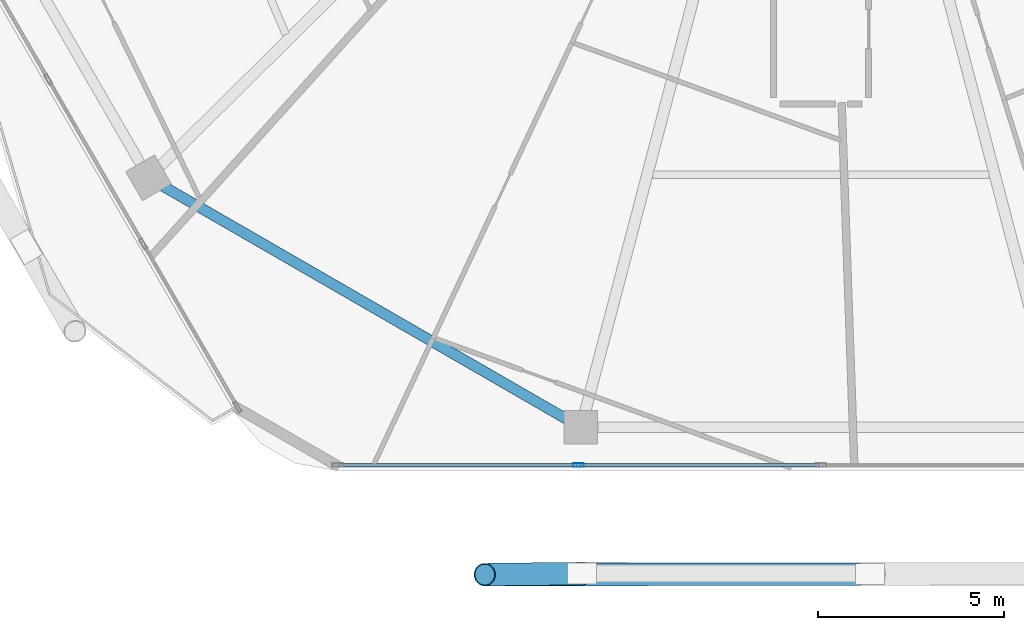
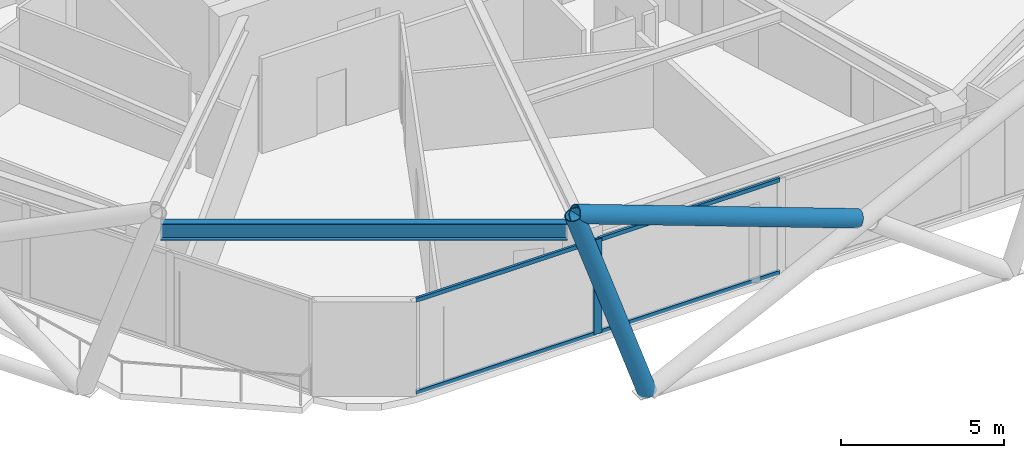
# One storey, part 3 of 27: 7 members, 1 beam, 1 element without a shape of its own.
"""IFC4 building model written with IfcOpenShell, lengths in metres."""

import ifcopenshell
import ifcopenshell.guid

model = None  # the IFC model being written
_history = None  # IfcOwnerHistory: only IFC2X3 demands one
_inside = {}  # id of a spatial element -> (the spatial element, [elements in it])
_under = {}  # id of a project, library or spatial element -> (it, [spatial elements below it])
_declared = {}  # id of a project -> (the project, [libraries it declares])
_typed = {}  # id of a type object -> (the type object, [elements of that type])
_made_of = {}  # id of a material, layer set ... -> (it, [elements and type objects made of it])


def new_model(schema):
    """Start an empty IFC model of exactly this schema.

    Asked for "IFC4X3", IfcOpenShell would pick the latest addendum, in which some entities
    have other attributes; the version numbers below select the first issue.
    IFC2X3 requires an IfcOwnerHistory on every rooted entity: one is made here for all.
    """
    global model, _history
    if schema == "IFC4X3":
        model = ifcopenshell.file(schema_version=(4, 3, 0, 0))
    else:
        model = ifcopenshell.file(schema=schema)
    _inside.clear()
    _under.clear()
    _declared.clear()
    _typed.clear()
    _made_of.clear()
    _history = None
    if model.schema == "IFC2X3":
        org = make("IfcOrganization", Name="unknown")
        user = make(
            "IfcPersonAndOrganization",
            ThePerson=make("IfcPerson", FamilyName="unknown"),
            TheOrganization=org,
        )
        app = make(
            "IfcApplication",
            ApplicationDeveloper=org,
            Version="unknown",
            ApplicationFullName="unknown",
            ApplicationIdentifier="unknown",
        )
        _history = make(
            "IfcOwnerHistory",
            OwningUser=user,
            OwningApplication=app,
            ChangeAction="ADDED",
            CreationDate=0,
        )
    return model


def make(cls, **values):
    """One entity of the class cls with the attributes given. An attribute that is None is left unset."""
    return model.create_entity(
        cls, **{name: value for name, value in values.items() if value is not None}
    )


def rooted(cls, **values):
    """An entity with a GlobalId (a new one), such as an element, a storey or a relation."""
    return make(cls, GlobalId=ifcopenshell.guid.new(), OwnerHistory=_history, **values)


def si_unit(unit_type, name, prefix=None):
    """IfcSIUnit, for example si_unit("LENGTHUNIT", "METRE", prefix="MILLI")."""
    return make("IfcSIUnit", UnitType=unit_type, Prefix=prefix, Name=name)


def assignment(units):
    """IfcUnitAssignment: the units of a project."""
    return None if units is None else make("IfcUnitAssignment", Units=units)


def point(xyz):
    """IfcCartesianPoint."""
    return None if xyz is None else make("IfcCartesianPoint", Coordinates=xyz)


def direction(xyz):
    """IfcDirection."""
    return None if xyz is None else make("IfcDirection", DirectionRatios=xyz)


def frame(location, z_axis=None, x_axis=None):
    """IfcAxis2Placement3D, a coordinate frame: its origin and axes. An axis left out is left unset."""
    return make(
        "IfcAxis2Placement3D",
        Location=point(location),
        Axis=direction(z_axis),
        RefDirection=direction(x_axis),
    )


def frame_2d(location, x_axis=None):
    """IfcAxis2Placement2D, a coordinate frame in the plane: its origin and x axis."""
    return make(
        "IfcAxis2Placement2D", Location=point(location), RefDirection=direction(x_axis)
    )


def origin():
    """The frame at (0, 0, 0) with its axes left unset."""
    return frame((0.0, 0.0, 0.0))


def origin_2d():
    """The frame at (0, 0) in the plane with its x axis left unset."""
    return frame_2d((0.0, 0.0))


def place(relative_to, where):
    """IfcLocalPlacement: puts the frame where relative to a parent placement (None: the world)."""
    return make(
        "IfcLocalPlacement", PlacementRelTo=relative_to, RelativePlacement=where
    )


def context(
    kind, dimensions, precision=None, world=None, true_north=None, identifier=None
):
    """IfcGeometricRepresentationContext, for example the 3D "Model" context."""
    return make(
        "IfcGeometricRepresentationContext",
        ContextIdentifier=identifier,
        ContextType=kind,
        CoordinateSpaceDimension=dimensions,
        Precision=precision,
        WorldCoordinateSystem=world,
        TrueNorth=true_north,
    )


def subcontext(parent, identifier, kind, view, scale=None):
    """IfcGeometricRepresentationSubContext, for example "Body" below "Model"."""
    return make(
        "IfcGeometricRepresentationSubContext",
        ContextIdentifier=identifier,
        ContextType=kind,
        ParentContext=parent,
        TargetScale=scale,
        TargetView=view,
    )


def project(units=None, contexts=None):
    """IfcProject with its units and contexts."""
    return rooted(
        "IfcProject",
        Name="project",
        RepresentationContexts=contexts,
        UnitsInContext=assignment(units),
    )


def spatial(cls, under=None, at=None, **own):
    """A site, building, storey or space (cls), placed at a placement, below another one or the project."""
    s = rooted(cls, ObjectPlacement=at, **own)
    if under is not None:
        _under.setdefault(under.id(), (under, []))[1].append(s)
    return s


def profile(cls, at=None, kind="AREA", **sizes):
    """A parametric profile (cls). Its sizes go by their IFC names, for example OverallWidth=200.0."""
    return make(cls, ProfileType=kind, Position=at, **sizes)


def hollow_rectangle(**sizes):
    """IfcRectangleHollowProfileDef."""
    return profile("IfcRectangleHollowProfileDef", **sizes)


def hollow_circle(**sizes):
    """IfcCircleHollowProfileDef."""
    return profile("IfcCircleHollowProfileDef", **sizes)


def i_section(**sizes):
    """IfcIShapeProfileDef."""
    return profile("IfcIShapeProfileDef", **sizes)


def extrude(swept, where, along, depth):
    """IfcExtrudedAreaSolid: the profile swept, set in the frame where, extruded along a direction by depth."""
    return make(
        "IfcExtrudedAreaSolid",
        SweptArea=swept,
        Position=where,
        ExtrudedDirection=direction(along),
        Depth=depth,
    )


def shape(context_of_items, identifier, shape_type, items):
    """IfcShapeRepresentation: the items that make up one representation, for example the "Body"."""
    return make(
        "IfcShapeRepresentation",
        ContextOfItems=context_of_items,
        RepresentationIdentifier=identifier,
        RepresentationType=shape_type,
        Items=items,
    )


def material(Name=None, Category=None):
    """IfcMaterial."""
    return make("IfcMaterial", Name=Name, Category=Category)


def material_profile(
    of_material, cross_section, Name=None, Category=None, Priority=None
):
    """IfcMaterialProfile: a cross section and its material."""
    return make(
        "IfcMaterialProfile",
        Name=Name,
        Material=of_material,
        Profile=cross_section,
        Priority=Priority,
        Category=Category,
    )


def profile_set(profiles, Name=None, composite=None):
    """IfcMaterialProfileSet."""
    return make(
        "IfcMaterialProfileSet",
        Name=Name,
        MaterialProfiles=profiles,
        CompositeProfile=composite,
    )


def made_of(thing, what):
    """Note that an element or type object is made of a material, layer set ...; save() writes the relation."""
    if what is not None:
        _made_of.setdefault(what.id(), (what, []))[1].append(thing)
    return thing


def type_object(cls, material=None, **own):
    """A type object (cls), such as IfcWallType, which elements share."""
    return made_of(rooted(cls, **own), material)


def element(
    cls,
    number,
    at=None,
    inside=None,
    cuts=None,
    type_object=None,
    material=None,
    context=None,
    identifier="Body",
    shape_type=None,
    held_by="IfcProductDefinitionShape",
    body=None,
    shapes=None,
    **own,
):
    """One element of the class cls, such as IfcWall. Its Tag is "e" and its number.

    at: its placement. inside: the storey or other place that contains it. cuts: it is an
    opening in that element (IfcRelVoidsElement). A single representation is given by context,
    identifier, shape_type and body (its items); several are given by shapes. held_by: the class
    of the entity that holds the representations. save() writes the other relations.
    """
    e = rooted(cls, Tag="e%d" % number, ObjectPlacement=at, **own)
    if body is not None:
        shapes = [shape(context, identifier, shape_type, body)]
    if shapes is not None:
        e.Representation = make(held_by, Representations=shapes)
    if inside is not None:
        _inside.setdefault(inside.id(), (inside, []))[1].append(e)
    if cuts is not None:
        rooted(
            "IfcRelVoidsElement", RelatingBuildingElement=cuts, RelatedOpeningElement=e
        )
    if type_object is not None:
        _typed.setdefault(type_object.id(), (type_object, []))[1].append(e)
    return made_of(e, material)


def aggregate(whole, parts):
    """IfcRelAggregates: a whole, such as a stair, and the parts it consists of."""
    return rooted("IfcRelAggregates", RelatingObject=whole, RelatedObjects=parts)


def save(model, path):
    """Write the relations noted so far, then the file.

    IfcRelAggregates (storeys below a building ...), IfcRelContainedInSpatialStructure (elements
    in a storey), IfcRelDefinesByType, IfcRelAssociatesMaterial and IfcRelDeclares: one each for
    every whole, place, type object, material and project.
    """
    for whole, parts in _under.values():
        aggregate(whole, parts)
    for where, things in _inside.values():
        rooted(
            "IfcRelContainedInSpatialStructure",
            RelatedElements=things,
            RelatingStructure=where,
        )
    for kind, things in _typed.values():
        rooted("IfcRelDefinesByType", RelatedObjects=things, RelatingType=kind)
    for what, things in _made_of.values():
        rooted("IfcRelAssociatesMaterial", RelatedObjects=things, RelatingMaterial=what)
    for by, libraries in _declared.values():
        rooted("IfcRelDeclares", RelatingContext=by, RelatedDefinitions=libraries)
    model.write(path)


model = new_model("IFC4")

# Units and contexts
model_context = context("Model", 3, precision=1e-05, world=origin(), true_north=direction((0.0, 1.0)))
body_context = subcontext(model_context, "Body", "Model", "MODEL_VIEW")
ifc_project = project(units=[si_unit("LENGTHUNIT", "METRE"), si_unit("AREAUNIT", "SQUARE_METRE"), si_unit("VOLUMEUNIT", "CUBIC_METRE"), si_unit("PLANEANGLEUNIT", "RADIAN"), si_unit("MASSUNIT", "GRAM", prefix="KILO")], contexts=[model_context])

# Site, building, storey
site_placement = place(None, origin())
site = spatial("IfcSite", under=ifc_project, at=site_placement, CompositionType="ELEMENT")
building_placement = place(site_placement, origin())
building = spatial("IfcBuilding", under=site, at=building_placement, Name="Zuhravey Tower", CompositionType="ELEMENT")
storey_placement = place(building_placement, frame((0.0, 0.0, 238.800048828125)))
storey = spatial("IfcBuildingStorey", under=building, at=storey_placement, Name="L60", CompositionType="ELEMENT", Elevation=238.800048828125)

# Curtain wall, members
ifc_material_1 = material(Name="Thermally broken anodised aluminium", Category="aluminium")
curtain_wall_type = type_object("IfcCurtainWallType", Name="Zone 3-4 High-Rise Curtain Wall CW4", PredefinedType="NOTDEFINED", material=ifc_material_1)
curtain_wall_placement = place(storey_placement, origin())
curtain_wall = element("IfcCurtainWall", 1, at=curtain_wall_placement, inside=storey, type_object=curtain_wall_type, Name="L60 CW4 CW-L60-F5-1", PredefinedType="NOTDEFINED")
ifc_material_2 = material(Name="Anodised aluminium", Category="aluminium")
ifc_material_profile_1 = material_profile(ifc_material_2, hollow_rectangle(XDim=0.090087890625, YDim=0.284912109375, WallThickness=0.0048828125, at=origin_2d()), Name="ALU-RHS-90x285x5")
ifc_profile_set_1 = profile_set([ifc_material_profile_1], Name="Anodised aluminium")
member_type_1 = type_object("IfcMemberType", Name="Curtain-Wall Mullion 90x180", PredefinedType="MULLION", material=ifc_profile_set_1)
member_1_placement = place(storey_placement, frame((29.49365234375, 6.436279296875, 0.0), z_axis=(0.0, 0.0, 1.0), x_axis=(0.0, -1.0, 0.0)))
member_1 = element("IfcMember", 2, at=member_1_placement, type_object=member_type_1, Name="CW4 mullion 4", PredefinedType="MULLION", context=body_context, shape_type="SweptSolid", body=[
    extrude(hollow_rectangle(XDim=0.090087890625, YDim=0.284912109375, WallThickness=0.0048828125, at=origin_2d()), origin(), (0.0, 0.0, 1.0), 3.550048828125),
])
ifc_material_profile_2 = material_profile(ifc_material_2, hollow_rectangle(XDim=0.090087890625, YDim=0.14990234375, WallThickness=0.0048828125, at=origin_2d()), Name="ALU-RHS-90x150x5")
ifc_profile_set_2 = profile_set([ifc_material_profile_2], Name="Anodised aluminium")
member_type_2 = type_object("IfcMemberType", Name="Curtain-Wall Transom 90x150", PredefinedType="USERDEFINED", material=ifc_profile_set_2)
member_2_placement = place(storey_placement, frame((35.955078125, 6.436279296875, 0.044921875), z_axis=(-1.0, 0.0, 0.0), x_axis=(0.0, -1.0, 0.0)))
member_2 = element("IfcMember", 3, at=member_2_placement, type_object=member_type_2, Name="CW4 transom 3.1", ObjectType="TRANSOM", PredefinedType="USERDEFINED", context=body_context, shape_type="SweptSolid", body=[
    extrude(hollow_rectangle(XDim=0.090087890625, YDim=0.14990234375, WallThickness=0.0048828125, at=origin_2d()), origin(), (0.0, 0.0, 1.0), 6.41650390625),
])
member_3_placement = place(storey_placement, frame((35.955078125, 6.436279296875, 3.5048828125), z_axis=(-1.0, 0.0, 0.0), x_axis=(0.0, -1.0, 0.0)))
member_3 = element("IfcMember", 4, at=member_3_placement, type_object=member_type_2, Name="CW4 transom 3.2", ObjectType="TRANSOM", PredefinedType="USERDEFINED", context=body_context, shape_type="SweptSolid", body=[
    extrude(hollow_rectangle(XDim=0.090087890625, YDim=0.14990234375, WallThickness=0.0048828125, at=origin_2d()), origin(), (0.0, 0.0, 1.0), 6.41650390625),
])
member_4_placement = place(storey_placement, frame((29.44873046875, 6.436279296875, 0.044921875), z_axis=(-1.0, 0.0, 0.0), x_axis=(0.0, -1.0, 0.0)))
member_4 = element("IfcMember", 5, at=member_4_placement, type_object=member_type_2, Name="CW4 transom 4.1", ObjectType="TRANSOM", PredefinedType="USERDEFINED", context=body_context, shape_type="SweptSolid", body=[
    extrude(hollow_rectangle(XDim=0.090087890625, YDim=0.14990234375, WallThickness=0.0048828125, at=origin_2d()), origin(), (0.0, 0.0, 1.0), 6.371337890625),
])
member_5_placement = place(storey_placement, frame((29.44873046875, 6.436279296875, 3.5048828125), z_axis=(-1.0, 0.0, 0.0), x_axis=(0.0, -1.0, 0.0)))
member_5 = element("IfcMember", 6, at=member_5_placement, type_object=member_type_2, Name="CW4 transom 4.2", ObjectType="TRANSOM", PredefinedType="USERDEFINED", context=body_context, shape_type="SweptSolid", body=[
    extrude(hollow_rectangle(XDim=0.090087890625, YDim=0.14990234375, WallThickness=0.0048828125, at=origin_2d()), origin(), (0.0, 0.0, 1.0), 6.371337890625),
])
aggregate(curtain_wall, [member_1, member_2, member_3, member_4, member_5])

# Members
ifc_material_3 = material(Name="Steel SM355", Category="steel")
ifc_material_profile_3 = material_profile(ifc_material_3, hollow_circle(Radius=0.3046875, WallThickness=0.028076171875, at=origin_2d()), Name="CHS-609.6x28")
ifc_profile_set_3 = profile_set([ifc_material_profile_3], Name="Steel SM355")
member_type_3 = type_object("IfcMemberType", Name="Exoskeleton Zone 3 Diagrid CHS610x28", PredefinedType="BRACE", material=ifc_profile_set_3)
member_6_placement = place(storey_placement, frame((29.586181640625, 3.5263671875, -0.446044921875), z_axis=(-0.326058009418, -0.003722541376, 0.94534243382), x_axis=(0.011416063057, -0.999934834629, 0.0)))
element("IfcMember", 7, at=member_6_placement, inside=storey, type_object=member_type_3, Name="L60 Face 5 Diagrid Brace 1", PredefinedType="BRACE", context=body_context, shape_type="SweptSolid", body=[
    extrude(hollow_circle(Radius=0.3046875, WallThickness=0.028076171875, at=origin_2d()), origin(), (0.0, 0.0, 1.0), 8.001220703125),
])
member_7_placement = place(storey_placement, frame((37.03369140625, 3.510986328125, 3.437744140625), z_axis=(-0.938619066031, -0.00134872199, 0.344952793629), x_axis=(0.001436920095, -0.99999896763, 0.0)))
element("IfcMember", 8, at=member_7_placement, inside=storey, type_object=member_type_3, Name="L60 Face 5 Split Diagrid Brace 3B", PredefinedType="BRACE", context=body_context, shape_type="SweptSolid", body=[
    extrude(hollow_circle(Radius=0.3046875, WallThickness=0.028076171875, at=origin_2d()), origin(), (0.0, 0.0, 1.0), 10.679931640625),
])

# Beam
ifc_material_profile_4 = material_profile(ifc_material_3, i_section(OverallWidth=0.280029296875, OverallDepth=0.6201171875, WebThickness=0.011962890625, FlangeThickness=0.02001953125, at=origin_2d()), Name="H-620x280x12x20")
ifc_profile_set_4 = profile_set([ifc_material_profile_4], Name="Steel SM355")
beam_type = type_object("IfcBeamType", Name="Perimeter Ring Beam H620x280", PredefinedType="BEAM", material=ifc_profile_set_4)
beam_placement = place(storey_placement, frame((18.3486328125, 13.918701171875, 3.239990234375), z_axis=(0.866025131093, -0.500000472315, 0.0), x_axis=(0.500000472315, 0.866025131093, 0.0)))
element("IfcBeam", 9, at=beam_placement, inside=storey, type_object=beam_type, Name="L60 PB3 BM-L60-PB-08", PredefinedType="BEAM", context=body_context, shape_type="SweptSolid", body=[
    extrude(i_section(OverallWidth=0.280029296875, OverallDepth=0.6201171875, WebThickness=0.011962890625, FlangeThickness=0.02001953125, at=origin_2d()), origin(), (0.0, 0.0, 1.0), 12.49169921875),
])

save(model, "model.ifc")
